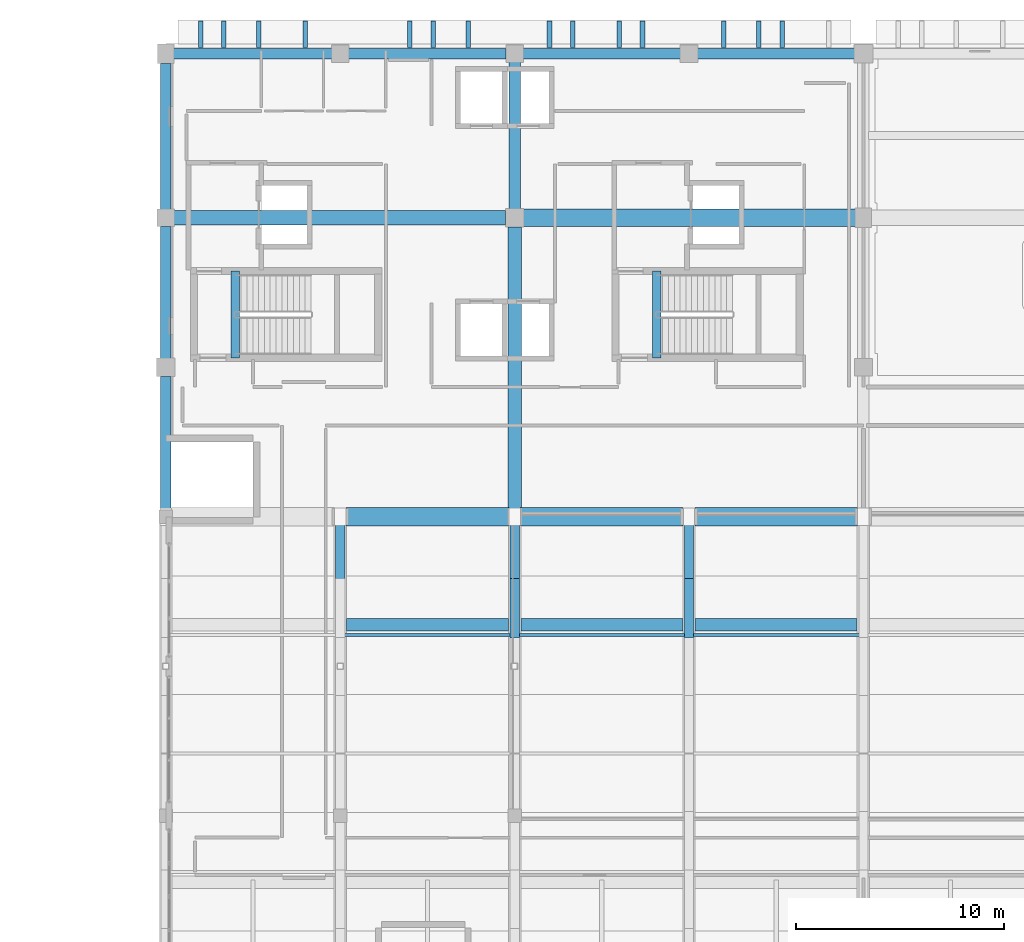
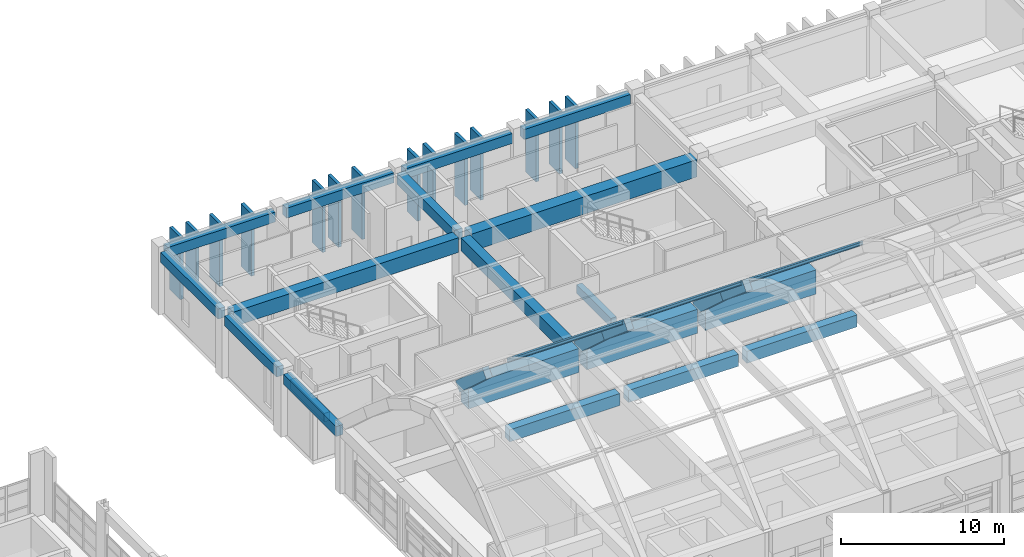
# One storey, part 42 of 103: 24 beams, 17 members.
"""IFC4 building model written with IfcOpenShell, lengths in metres."""

from ifc_helpers import new_model, si_unit, direction, frame, origin, origin_2d, place, context, subcontext, project, spatial, rectangle, i_section, extrude, material, material_profile, profile_set, type_object, element, save


model = new_model("IFC4")

# Units and contexts
model_context = context("Model", 3, precision=1e-05, world=origin(), true_north=direction((0.0, 1.0)))
body_context = subcontext(model_context, "Body", "Model", "MODEL_VIEW")
ifc_project = project(units=[si_unit("LENGTHUNIT", "METRE"), si_unit("AREAUNIT", "SQUARE_METRE"), si_unit("VOLUMEUNIT", "CUBIC_METRE"), si_unit("PLANEANGLEUNIT", "RADIAN"), si_unit("MASSUNIT", "GRAM", prefix="KILO")], contexts=[model_context])

# Site, building, storey
site_placement = place(None, origin())
site = spatial("IfcSite", under=ifc_project, at=site_placement, CompositionType="ELEMENT")
building_placement = place(site_placement, origin())
building = spatial("IfcBuilding", under=site, at=building_placement, Name="Quendrovan Civic Courthouse", CompositionType="ELEMENT")
storey_placement = place(building_placement, frame((0.0, 0.0, 15.300048828125)))
storey = spatial("IfcBuildingStorey", under=building, at=storey_placement, Name="L04", CompositionType="ELEMENT", Elevation=15.300048828125)

# Beams
ifc_material_1 = material(Name="Post-tensioned concrete C50/60", Category="concrete")
ifc_material_profile_1 = material_profile(ifc_material_1, rectangle(XDim=0.699951171875, YDim=1.10009765625, at=origin_2d()), Name="PT-GIRD-700x1100")
ifc_profile_set_1 = profile_set([ifc_material_profile_1], Name="Post-tensioned concrete C50/60")
beam_type_1 = type_object("IfcBeamType", Name="BM-PT1100", PredefinedType="BEAM", material=ifc_profile_set_1)
beam_1_placement = place(storey_placement, frame((34.0048828125, 102.0, 4.10986328125), z_axis=(1.0, 0.0, 0.0), x_axis=(0.0, 1.0, 0.0)))
element("IfcBeam", 1, at=beam_1_placement, inside=storey, type_object=beam_type_1, Name="L04 Girder X0918", PredefinedType="BEAM", context=body_context, shape_type="SweptSolid", body=[
    extrude(rectangle(XDim=0.699951171875, YDim=1.10009765625, at=origin_2d()), origin(), (0.0, 0.0, 1.0), 15.965087890625),
])
ifc_material_profile_2 = material_profile(ifc_material_1, rectangle(XDim=0.85009765625, YDim=1.300048828125, at=origin_2d()), Name="PT-GRD-850x1300")
ifc_profile_set_2 = profile_set([ifc_material_profile_2], Name="Post-tensioned concrete C50/60")
beam_type_2 = type_object("IfcBeamType", Name="BM-PT1300", PredefinedType="BEAM", material=ifc_profile_set_2)
beam_2_placement = place(storey_placement, frame((50.830078125, 102.0, 4.010009765625), z_axis=(1.0, 0.0, 0.0), x_axis=(0.0, 1.0, 0.0)))
element("IfcBeam", 2, at=beam_2_placement, inside=storey, type_object=beam_type_2, Name="L04 Girder X0919", PredefinedType="BEAM", context=body_context, shape_type="SweptSolid", body=[
    extrude(rectangle(XDim=0.85009765625, YDim=1.300048828125, at=origin_2d()), origin(), (0.0, 0.0, 1.0), 15.989990234375),
])
ifc_material_profile_3 = material_profile(ifc_material_1, rectangle(XDim=0.64990234375, YDim=0.949951171875, at=origin_2d()), Name="PT-GIRD-650x950")
ifc_profile_set_3 = profile_set([ifc_material_profile_3], Name="Post-tensioned concrete C50/60")
beam_type_3 = type_object("IfcBeamType", Name="BM-PT950", PredefinedType="BEAM", material=ifc_profile_set_3)
beam_3_placement = place(storey_placement, frame((50.39990234375, 88.0048828125, 4.18505859375), z_axis=(0.0, 1.0, 0.0), x_axis=(-1.0, 0.0, 0.0)))
element("IfcBeam", 3, at=beam_3_placement, inside=storey, type_object=beam_type_3, Name="L04 Girder Y0972", PredefinedType="BEAM", context=body_context, shape_type="SweptSolid", body=[
    extrude(rectangle(XDim=0.64990234375, YDim=0.949951171875, at=origin_2d()), origin(), (0.0, 0.0, 1.0), 13.565185546875),
])
ifc_material_2 = material(Name="Concrete C40/50", Category="concrete")
ifc_material_profile_4 = material_profile(ifc_material_2, rectangle(XDim=0.39990234375, YDim=0.64990234375, at=origin_2d()), Name="RC-BM-400x650")
ifc_profile_set_4 = profile_set([ifc_material_profile_4], Name="Concrete C40/50")
beam_type_4 = type_object("IfcBeamType", Name="BM-RC650", PredefinedType="JOIST", material=ifc_profile_set_4)
for number, where, z_axis, x_axis, name in (
    (4, (36.949951171875, 95.25, -0.324951171875), (0.0, 1.0, 0.0), (-1.0, 0.0, 0.0), "L04 Stair ST1 Landing Trimmer Beam"),
    (5, (57.25, 95.25, -0.324951171875), (0.0, 1.0, 0.0), (-1.0, 0.0, 0.0), "L04 Stair ST2 Landing Trimmer Beam"),
):
    element("IfcBeam", number, at=place(storey_placement, frame(where, z_axis=z_axis, x_axis=x_axis)), inside=storey, type_object=beam_type_4, Name=name, PredefinedType="JOIST", context=body_context, shape_type="SweptSolid", body=[
        extrude(rectangle(XDim=0.39990234375, YDim=0.64990234375, at=origin_2d()), origin(), (0.0, 0.0, 1.0), 4.199951171875),
    ])
ifc_material_profile_5 = material_profile(ifc_material_2, rectangle(XDim=0.5, YDim=0.75, at=origin_2d()), Name="RC-BM-500x750")
ifc_profile_set_5 = profile_set([ifc_material_profile_5], Name="Concrete C40/50")
beam_type_5 = type_object("IfcBeamType", Name="BM-RC750", PredefinedType="SPANDREL", material=ifc_profile_set_5)
beam_4_placement = place(storey_placement, frame((33.97998046875, 109.89990234375, 4.284912109375), z_axis=(1.0, 0.0, 0.0), x_axis=(0.0, 1.0, 0.0)))
element("IfcBeam", 6, at=beam_4_placement, inside=storey, type_object=beam_type_5, Name="L04 Girder X0925", PredefinedType="SPANDREL", context=body_context, shape_type="SweptSolid", body=[
    extrude(rectangle(XDim=0.5, YDim=0.75, at=origin_2d()), origin(), (0.0, 0.0, 1.0), 7.614990234375),
])
for number, where, z_axis, x_axis, name in (
    (7, (42.405029296875, 109.89990234375, 4.284912109375), (1.0, 0.0, 0.0), (0.0, 1.0, 0.0), "L04 Girder X0926"),
    (8, (50.804931640625, 109.89990234375, 4.284912109375), (1.0, 0.0, 0.0), (0.0, 1.0, 0.0), "L04 Girder X0927"),
):
    element("IfcBeam", number, at=place(storey_placement, frame(where, z_axis=z_axis, x_axis=x_axis)), inside=storey, type_object=beam_type_5, Name=name, PredefinedType="SPANDREL", context=body_context, shape_type="SweptSolid", body=[
        extrude(rectangle(XDim=0.5, YDim=0.75, at=origin_2d()), origin(), (0.0, 0.0, 1.0), 7.590087890625),
    ])
beam_5_placement = place(storey_placement, frame((59.205078125, 109.89990234375, 4.284912109375), z_axis=(1.0, 0.0, 0.0), x_axis=(0.0, 1.0, 0.0)))
element("IfcBeam", 9, at=beam_5_placement, inside=storey, type_object=beam_type_5, Name="L04 Girder X0928", PredefinedType="SPANDREL", context=body_context, shape_type="SweptSolid", body=[
    extrude(rectangle(XDim=0.5, YDim=0.75, at=origin_2d()), origin(), (0.0, 0.0, 1.0), 7.56494140625),
])
beam_6_placement = place(storey_placement, frame((33.60009765625, 87.905029296875, 4.284912109375), z_axis=(0.0, 1.0, 0.0), x_axis=(-1.0, 0.0, 0.0)))
element("IfcBeam", 10, at=beam_6_placement, inside=storey, type_object=beam_type_5, Name="L04 Girder Y0965", PredefinedType="SPANDREL", context=body_context, shape_type="SweptSolid", body=[
    extrude(rectangle(XDim=0.5, YDim=0.75, at=origin_2d()), origin(), (0.0, 0.0, 1.0), 6.465087890625),
])
beam_7_placement = place(storey_placement, frame((33.60009765625, 95.22998046875, 4.284912109375), z_axis=(0.0, 1.0, 0.0), x_axis=(-1.0, 0.0, 0.0)))
element("IfcBeam", 11, at=beam_7_placement, inside=storey, type_object=beam_type_5, Name="L04 Girder Y0966", PredefinedType="SPANDREL", context=body_context, shape_type="SweptSolid", body=[
    extrude(rectangle(XDim=0.5, YDim=0.75, at=origin_2d()), origin(), (0.0, 0.0, 1.0), 6.364990234375),
])
beam_8_placement = place(storey_placement, frame((33.60009765625, 102.405029296875, 4.284912109375), z_axis=(0.0, 1.0, 0.0), x_axis=(-1.0, 0.0, 0.0)))
element("IfcBeam", 12, at=beam_8_placement, inside=storey, type_object=beam_type_5, Name="L04 Girder Y0967", PredefinedType="SPANDREL", context=body_context, shape_type="SweptSolid", body=[
    extrude(rectangle(XDim=0.5, YDim=0.75, at=origin_2d()), origin(), (0.0, 0.0, 1.0), 7.0400390625),
])
ifc_material_profile_6 = material_profile(ifc_material_2, rectangle(XDim=0.550048828125, YDim=0.800048828125, at=origin_2d()), Name="RC-BM-550x800")
ifc_profile_set_6 = profile_set([ifc_material_profile_6], Name="Concrete C40/50")
beam_type_6 = type_object("IfcBeamType", Name="BM-RC800", PredefinedType="BEAM", material=ifc_profile_set_6)
beam_9_placement = place(storey_placement, frame((50.39990234375, 102.429931640625, 4.260009765625), z_axis=(0.0, 1.0, 0.0), x_axis=(-1.0, 0.0, 0.0)))
element("IfcBeam", 13, at=beam_9_placement, inside=storey, type_object=beam_type_6, Name="L04 Girder Y0973", PredefinedType="BEAM", context=body_context, shape_type="SweptSolid", body=[
    extrude(rectangle(XDim=0.550048828125, YDim=0.800048828125, at=origin_2d()), origin(), (0.0, 0.0, 1.0), 7.065185546875),
])
ifc_material_profile_7 = material_profile(ifc_material_2, rectangle(XDim=0.60009765625, YDim=0.89990234375, at=origin_2d()), Name="RC-BM-600x900")
ifc_profile_set_7 = profile_set([ifc_material_profile_7], Name="Concrete C40/50")
beam_type_7 = type_object("IfcBeamType", Name="BM-RC900", PredefinedType="BEAM", material=ifc_profile_set_7)
for number, where, z_axis, x_axis, name in (
    (14, (42.300048828125, 82.39990234375, 4.349853515625), (1.0, 0.0, 0.0), (0.0, 1.0, 0.0), "BV2 Eave Backspan Collector Beam N-B2"),
    (15, (50.699951171875, 82.39990234375, 4.349853515625), (1.0, 0.0, 0.0), (0.0, 1.0, 0.0), "BV2 Eave Backspan Collector Beam N-B3"),
):
    element("IfcBeam", number, at=place(storey_placement, frame(where, z_axis=z_axis, x_axis=x_axis)), inside=storey, type_object=beam_type_7, Name=name, PredefinedType="BEAM", context=body_context, shape_type="SweptSolid", body=[
        extrude(rectangle(XDim=0.60009765625, YDim=0.89990234375, at=origin_2d()), origin(), (0.0, 0.0, 1.0), 7.800048828125),
    ])
beam_10_placement = place(storey_placement, frame((59.10009765625, 82.39990234375, 4.349853515625), z_axis=(1.0, 0.0, 0.0), x_axis=(0.0, 1.0, 0.0)))
element("IfcBeam", 16, at=beam_10_placement, inside=storey, type_object=beam_type_7, Name="BV2 Eave Backspan Collector Beam N-B4", PredefinedType="BEAM", context=body_context, shape_type="SweptSolid", body=[
    extrude(rectangle(XDim=0.60009765625, YDim=0.89990234375, at=origin_2d()), origin(), (0.0, 0.0, 1.0), 7.7998046875),
])
ifc_material_3 = material(Name="Concrete C45/55", Category="concrete")
ifc_material_profile_8 = material_profile(ifc_material_3, rectangle(XDim=0.89990234375, YDim=1.800048828125, at=origin_2d()), Name="RC-TG-900x1800")
ifc_profile_set_8 = profile_set([ifc_material_profile_8], Name="Concrete C45/55")
beam_type_8 = type_object("IfcBeamType", Name="BM-TG1800", PredefinedType="BEAM", material=ifc_profile_set_8)
for number, where, z_axis, x_axis, name in (
    (17, (42.280029296875, 87.60009765625, 4.199951171875), (1.0, 0.0, 0.0), (0.0, 1.0, 0.0), "BV2 Springing Collector Girder N-2"),
    (18, (50.679931640625, 87.60009765625, 4.199951171875), (1.0, 0.0, 0.0), (0.0, 1.0, 0.0), "BV2 Springing Collector Girder N-3"),
):
    element("IfcBeam", number, at=place(storey_placement, frame(where, z_axis=z_axis, x_axis=x_axis)), inside=storey, type_object=beam_type_8, Name=name, PredefinedType="BEAM", context=body_context, shape_type="SweptSolid", body=[
        extrude(rectangle(XDim=0.89990234375, YDim=1.800048828125, at=origin_2d()), origin(), (0.0, 0.0, 1.0), 7.840087890625),
    ])
beam_11_placement = place(storey_placement, frame((59.080078125, 87.60009765625, 4.199951171875), z_axis=(1.0, 0.0, 0.0), x_axis=(0.0, 1.0, 0.0)))
element("IfcBeam", 19, at=beam_11_placement, inside=storey, type_object=beam_type_8, Name="BV2 Springing Collector Girder N-4", PredefinedType="BEAM", context=body_context, shape_type="SweptSolid", body=[
    extrude(rectangle(XDim=0.89990234375, YDim=1.800048828125, at=origin_2d()), origin(), (0.0, 0.0, 1.0), 7.83984375),
])
ifc_material_profile_9 = material_profile(ifc_material_2, rectangle(XDim=0.449951171875, YDim=0.75, at=origin_2d()), Name="RC-VRIB-450x750")
ifc_profile_set_9 = profile_set([ifc_material_profile_9], Name="Concrete C40/50")
beam_type_9 = type_object("IfcBeamType", Name="BM-VRIB750", PredefinedType="BEAM", material=ifc_profile_set_9)
beam_12_placement = place(storey_placement, frame((42.0, 84.3232421875, 7.87158203125), z_axis=(0.0, 0.740758632606, -0.671771276716), x_axis=(-1.0, 0.0, 0.0)))
element("IfcBeam", 20, at=beam_12_placement, inside=storey, type_object=beam_type_9, Name="BV2 Concrete Vault Arch Rib A2-C8", PredefinedType="BEAM", context=body_context, shape_type="SweptSolid", body=[
    extrude(rectangle(XDim=0.449951171875, YDim=0.75, at=origin_2d()), origin(), (0.0, 0.0, 1.0), 4.423583984375),
])
beam_13_placement = place(storey_placement, frame((50.39990234375, 81.52783203125, 10.237548828125), z_axis=(0.0, 0.762419306116, -0.647083303495), x_axis=(-1.0, 0.0, 0.0)))
element("IfcBeam", 21, at=beam_13_placement, inside=storey, type_object=beam_type_9, Name="BV2 Concrete Vault Arch Rib A3-C7", PredefinedType="BEAM", context=body_context, shape_type="SweptSolid", body=[
    extrude(rectangle(XDim=0.449951171875, YDim=0.75, at=origin_2d()), origin(), (0.0, 0.0, 1.0), 3.73828125),
])
beam_14_placement = place(storey_placement, frame((50.39990234375, 84.3232421875, 7.87158203125), z_axis=(0.0, 0.740758632606, -0.671771276716), x_axis=(-1.0, 0.0, 0.0)))
element("IfcBeam", 22, at=beam_14_placement, inside=storey, type_object=beam_type_9, Name="BV2 Concrete Vault Arch Rib A3-C8", PredefinedType="BEAM", context=body_context, shape_type="SweptSolid", body=[
    extrude(rectangle(XDim=0.449951171875, YDim=0.75, at=origin_2d()), origin(), (0.0, 0.0, 1.0), 4.423583984375),
])
beam_15_placement = place(storey_placement, frame((58.800048828125, 81.52783203125, 10.237548828125), z_axis=(0.0, 0.762419306116, -0.647083303495), x_axis=(-1.0, 0.0, 0.0)))
element("IfcBeam", 23, at=beam_15_placement, inside=storey, type_object=beam_type_9, Name="BV2 Concrete Vault Arch Rib A4-C7", PredefinedType="BEAM", context=body_context, shape_type="SweptSolid", body=[
    extrude(rectangle(XDim=0.449951171875, YDim=0.75, at=origin_2d()), origin(), (0.0, 0.0, 1.0), 3.73828125),
])
beam_16_placement = place(storey_placement, frame((58.800048828125, 84.3232421875, 7.87158203125), z_axis=(0.0, 0.740758632606, -0.671771276716), x_axis=(-1.0, 0.0, 0.0)))
element("IfcBeam", 24, at=beam_16_placement, inside=storey, type_object=beam_type_9, Name="BV2 Concrete Vault Arch Rib A4-C8", PredefinedType="BEAM", context=body_context, shape_type="SweptSolid", body=[
    extrude(rectangle(XDim=0.449951171875, YDim=0.75, at=origin_2d()), origin(), (0.0, 0.0, 1.0), 4.423583984375),
])

# Members
ifc_material_4 = material(Name="Precast concrete C45/55", Category="concrete")
ifc_material_profile_10 = material_profile(ifc_material_4, rectangle(XDim=0.219970703125, YDim=1.280029296875, at=origin_2d()), Name="PC-FIN-220x1280")
ifc_profile_set_10 = profile_set([ifc_material_profile_10], Name="Precast concrete C45/55")
member_type_1 = type_object("IfcMemberType", Name="MEM-PC-FIN1280", PredefinedType="USERDEFINED", material=ifc_profile_set_10)
for number, where, z_axis, x_axis, name in (
    (25, (35.280029296875, 110.83203125, 0.0), (0.0, 0.0, 1.0), (1.0, 0.0, 0.0), "L04 Precast Concrete Facade Fin 0028"),
    (26, (36.39990234375, 110.83203125, 0.0), (0.0, 0.0, 1.0), (1.0, 0.0, 0.0), "L04 Precast Concrete Facade Fin 0029"),
    (27, (38.080078125, 110.83203125, 0.0), (0.0, 0.0, 1.0), (1.0, 0.0, 0.0), "L04 Precast Concrete Facade Fin 0030"),
    (28, (40.320068359375, 110.83203125, 0.0), (0.0, 0.0, 1.0), (1.0, 0.0, 0.0), "L04 Precast Concrete Facade Fin 0031"),
    (29, (45.360107421875, 110.83203125, 0.0), (0.0, 0.0, 1.0), (1.0, 0.0, 0.0), "L04 Precast Concrete Facade Fin 0032"),
    (30, (46.47998046875, 110.83203125, 0.0), (0.0, 0.0, 1.0), (1.0, 0.0, 0.0), "L04 Precast Concrete Facade Fin 0033"),
    (31, (48.159912109375, 110.83203125, 0.0), (0.0, 0.0, 1.0), (1.0, 0.0, 0.0), "L04 Precast Concrete Facade Fin 0034"),
    (32, (52.080078125, 110.83203125, 0.0), (0.0, 0.0, 1.0), (1.0, 0.0, 0.0), "L04 Precast Concrete Facade Fin 0035"),
    (33, (53.199951171875, 110.83203125, 0.0), (0.0, 0.0, 1.0), (1.0, 0.0, 0.0), "L04 Precast Concrete Facade Fin 0036"),
    (34, (55.43994140625, 110.83203125, 0.0), (0.0, 0.0, 1.0), (1.0, 0.0, 0.0), "L04 Precast Concrete Facade Fin 0037"),
    (35, (56.56005859375, 110.83203125, 0.0), (0.0, 0.0, 1.0), (1.0, 0.0, 0.0), "L04 Precast Concrete Facade Fin 0038"),
    (36, (60.47998046875, 110.83203125, 0.0), (0.0, 0.0, 1.0), (1.0, 0.0, 0.0), "L04 Precast Concrete Facade Fin 0039"),
    (37, (62.159912109375, 110.83203125, 0.0), (0.0, 0.0, 1.0), (1.0, 0.0, 0.0), "L04 Precast Concrete Facade Fin 0040"),
    (38, (63.280029296875, 110.83203125, 0.0), (0.0, 0.0, 1.0), (1.0, 0.0, 0.0), "L04 Precast Concrete Facade Fin 0041"),
):
    element("IfcMember", number, at=place(storey_placement, frame(where, z_axis=z_axis, x_axis=x_axis)), inside=storey, type_object=member_type_1, Name=name, ObjectType="PRECAST FACADE FIN", PredefinedType="USERDEFINED", context=body_context, shape_type="SweptSolid", body=[
        extrude(rectangle(XDim=0.219970703125, YDim=1.280029296875, at=origin_2d()), origin(), (0.0, 0.0, 1.0), 4.679931640625),
    ])
ifc_material_5 = material(Name="Steel ASTM A992 Grade 50", Category="steel")
ifc_material_profile_11 = material_profile(ifc_material_5, i_section(OverallWidth=0.14599609375, OverallDepth=0.258056640625, WebThickness=0.006103515625, FlangeThickness=0.009033203125, at=origin_2d()), Name="W250x33")
ifc_profile_set_11 = profile_set([ifc_material_profile_11], Name="Steel ASTM A992 Grade 50")
member_type_2 = type_object("IfcMemberType", Name="MEM-PUR-W250", PredefinedType="PURLIN", material=ifc_profile_set_11)
member_1_placement = place(storey_placement, frame((42.0, 81.89990234375, 10.23583984375), z_axis=(1.0, 0.0, 0.0), x_axis=(0.0, 1.0, 0.0)))
element("IfcMember", 39, at=member_1_placement, inside=storey, type_object=member_type_2, Name="BV2 Vault Longitudinal Purlin B2-3", PredefinedType="PURLIN", context=body_context, shape_type="SweptSolid", body=[
    extrude(i_section(OverallWidth=0.14599609375, OverallDepth=0.258056640625, WebThickness=0.006103515625, FlangeThickness=0.009033203125, at=origin_2d()), origin(), (0.0, 0.0, 1.0), 8.39990234375),
])
member_2_placement = place(storey_placement, frame((50.39990234375, 81.89990234375, 10.23583984375), z_axis=(1.0, 0.0, 0.0), x_axis=(0.0, 1.0, 0.0)))
element("IfcMember", 40, at=member_2_placement, inside=storey, type_object=member_type_2, Name="BV2 Vault Longitudinal Purlin B3-3", PredefinedType="PURLIN", context=body_context, shape_type="SweptSolid", body=[
    extrude(i_section(OverallWidth=0.14599609375, OverallDepth=0.258056640625, WebThickness=0.006103515625, FlangeThickness=0.009033203125, at=origin_2d()), origin(), (0.0, 0.0, 1.0), 8.400146484375),
])
member_3_placement = place(storey_placement, frame((58.800048828125, 81.89990234375, 10.23583984375), z_axis=(1.0, 0.0, 0.0), x_axis=(0.0, 1.0, 0.0)))
element("IfcMember", 41, at=member_3_placement, inside=storey, type_object=member_type_2, Name="BV2 Vault Longitudinal Purlin B4-3", PredefinedType="PURLIN", context=body_context, shape_type="SweptSolid", body=[
    extrude(i_section(OverallWidth=0.14599609375, OverallDepth=0.258056640625, WebThickness=0.006103515625, FlangeThickness=0.009033203125, at=origin_2d()), origin(), (0.0, 0.0, 1.0), 8.39990234375),
])

save(model, "model.ifc")
